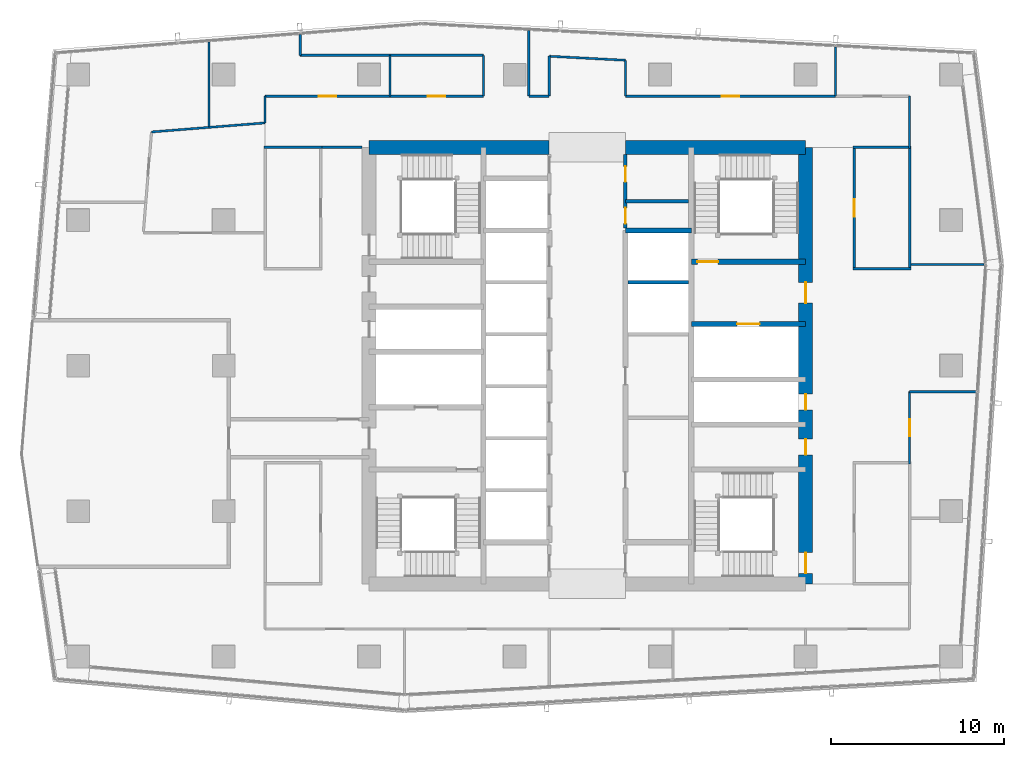
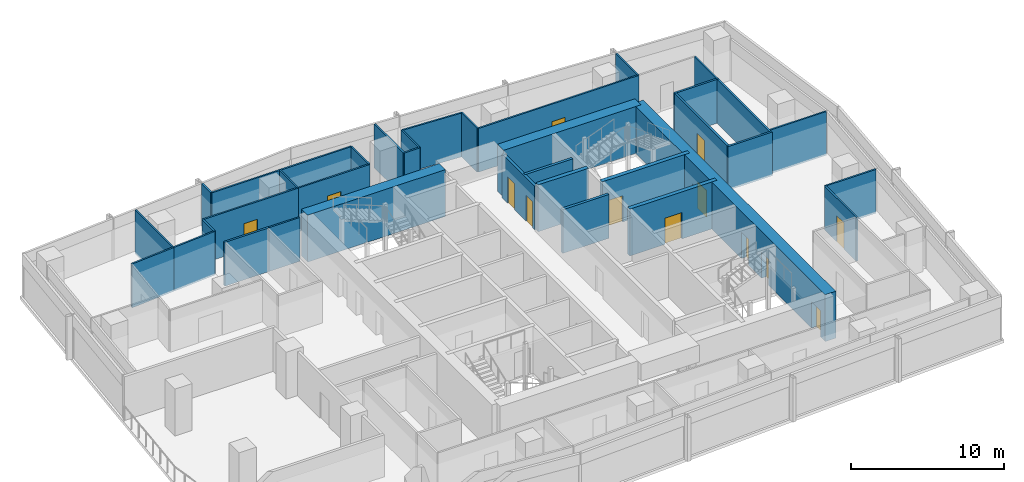
# One storey, part 22 of 28: 37 walls, 13 doors, 13 openings.
"""IFC4 building model written with IfcOpenShell, lengths in metres."""

from ifc_helpers import new_model, si_unit, direction, frame, frame_2d, origin, place, context, subcontext, project, spatial, rectangle, extrude, material, layer, layer_set, type_object, element, fill, save


model = new_model("IFC4")

# Units and contexts
model_context = context("Model", 3, precision=1e-05, world=origin(), true_north=direction((0.0, 1.0)))
body_context = subcontext(model_context, "Body", "Model", "MODEL_VIEW")
ifc_project = project(units=[si_unit("LENGTHUNIT", "METRE"), si_unit("AREAUNIT", "SQUARE_METRE"), si_unit("VOLUMEUNIT", "CUBIC_METRE"), si_unit("PLANEANGLEUNIT", "RADIAN"), si_unit("MASSUNIT", "GRAM", prefix="KILO")], contexts=[model_context])

# Site, building, storey
site_placement = place(None, origin())
site = spatial("IfcSite", under=ifc_project, at=site_placement, CompositionType="ELEMENT")
building_placement = place(site_placement, origin())
building = spatial("IfcBuilding", under=site, at=building_placement, Name="Rekha Terrace Tower", CompositionType="ELEMENT")
storey_placement = place(building_placement, frame((0.0, 0.0, 268.85009765625)))
storey = spatial("IfcBuildingStorey", under=building, at=storey_placement, Name="L68", CompositionType="ELEMENT", Elevation=268.85009765625)

# Wall
ifc_material_1 = material(Name="Concrete M60", Category="concrete")
ifc_layer_1 = layer(ifc_material_1, 0.300048828125)
ifc_layer_set_1 = layer_set([ifc_layer_1], Name="Concrete M60")
wall_type_1 = type_object("IfcWallType", Name="CI5 300 core internal shear wall", PredefinedType="SHEAR", material=ifc_layer_set_1)
wall_1_placement = place(storey_placement, frame((40.0, 41.39990234375, 0.0), z_axis=(0.0, 0.0, 1.0), x_axis=(1.0, 0.0, 0.0)))
element("IfcWall", 1, at=wall_1_placement, inside=storey, type_object=wall_type_1, Name="Core wall Y414E L68", PredefinedType="SHEAR", context=body_context, shape_type="SweptSolid", body=[
    extrude(rectangle(XDim=3.800048828125, YDim=0.300048828125, at=frame_2d((1.89990234375, 0.0))), origin(), (0.0, 0.0, 1.0), 3.75),
])

# Wall, opening, door
wall_2_placement = place(storey_placement, frame((43.800048828125, 36.0, 0.0), z_axis=(0.0, 0.0, 1.0), x_axis=(1.0, 0.0, 0.0)))
wall_2 = element("IfcWall", 2, at=wall_2_placement, inside=storey, type_object=wall_type_1, Name="Core wall Y360E L68", PredefinedType="SHEAR", context=body_context, shape_type="SweptSolid", body=[
    extrude(rectangle(XDim=6.599853515625, YDim=0.300048828125, at=frame_2d((3.2998046875, 0.0))), origin(), (0.0, 0.0, 1.0), 3.75),
])
opening_1_placement = place(wall_2_placement, frame((2.64990234375, 0.0, 0.0)))
opening_1 = element("IfcOpeningElement", 3, at=opening_1_placement, cuts=wall_2, Name="Opening LD2", PredefinedType="OPENING", context=body_context, shape_type="SweptSolid", body=[
    extrude(rectangle(XDim=1.300048828125, YDim=2.10009765625, at=frame_2d((0.64990234375, 1.050048828125))), frame((0.0, 0.159912109375, 0.0), z_axis=(0.0, -1.0, 0.0), x_axis=(1.0, 0.0, 0.0)), (0.0, 0.0, 1.0), 0.320068359375),
])
ifc_material_2 = material(Name="Stainless steel sliding landing door", Category="steel")
door_type_1 = type_object("IfcDoorType", Name="LD2 1300x2100 fire lift landing door", OperationType="SLIDING_TO_LEFT", PredefinedType="USERDEFINED", material=ifc_material_2)
door_1_placement = place(opening_1_placement, origin())
door_1 = element("IfcDoor", 4, at=door_1_placement, inside=storey, type_object=door_type_1, Name="Lift FL2 landing door L68", ObjectType="LIFT LANDING DOOR", OperationType="SLIDING_TO_LEFT", OverallHeight=2.10009765625, OverallWidth=1.300048828125, PredefinedType="USERDEFINED", context=body_context, shape_type="SweptSolid", body=[
    extrude(rectangle(XDim=1.300048828125, YDim=2.10009765625, at=frame_2d((0.64990234375, 1.050048828125))), frame((0.0, 0.02490234375, 0.0), z_axis=(0.0, -1.0, 0.0), x_axis=(1.0, 0.0, 0.0)), (0.0, 0.0, 1.0), 0.050048828125),
])
fill(opening_1, door_1)

wall_3_placement = place(storey_placement, frame((43.800048828125, 39.60009765625, 0.0), z_axis=(0.0, 0.0, 1.0), x_axis=(1.0, 0.0, 0.0)))
wall_3 = element("IfcWall", 5, at=wall_3_placement, inside=storey, type_object=wall_type_1, Name="Core wall Y396E L68", PredefinedType="SHEAR", context=body_context, shape_type="SweptSolid", body=[
    extrude(rectangle(XDim=6.599853515625, YDim=0.300048828125, at=frame_2d((3.2998046875, 0.0))), origin(), (0.0, 0.0, 1.0), 3.75),
])
opening_2_placement = place(wall_3_placement, frame((0.35009765625, 0.0, 0.0)))
opening_2 = element("IfcOpeningElement", 6, at=opening_2_placement, cuts=wall_3, Name="Opening D1", PredefinedType="OPENING", context=body_context, shape_type="SweptSolid", body=[
    extrude(rectangle(XDim=1.199951171875, YDim=2.10009765625, at=frame_2d((0.60009765625, 1.050048828125))), frame((0.0, 0.159912109375, 0.0), z_axis=(0.0, -1.0, 0.0), x_axis=(1.0, 0.0, 0.0)), (0.0, 0.0, 1.0), 0.320068359375),
])
ifc_material_3 = material(Name="Steel fire door", Category="steel")
door_type_2 = type_object("IfcDoorType", Name="D1 1200x2100 stair fire door", OperationType="SINGLE_SWING_RIGHT", PredefinedType="DOOR", material=ifc_material_3)
door_2_placement = place(opening_2_placement, origin())
door_2 = element("IfcDoor", 7, at=door_2_placement, inside=storey, type_object=door_type_2, Name="Stair ST2 door L68", OperationType="SINGLE_SWING_RIGHT", OverallHeight=2.10009765625, OverallWidth=1.199951171875, PredefinedType="DOOR", context=body_context, shape_type="SweptSolid", body=[
    extrude(rectangle(XDim=1.199951171875, YDim=2.10009765625, at=frame_2d((0.60009765625, 1.050048828125))), frame((0.0, 0.02490234375, 0.0), z_axis=(0.0, -1.0, 0.0), x_axis=(1.0, 0.0, 0.0)), (0.0, 0.0, 1.0), 0.050048828125),
])
fill(opening_2, door_2)

# Walls
ifc_layer_2 = layer(ifc_material_1, 0.800048828125)
ifc_layer_set_2 = layer_set([ifc_layer_2], Name="Concrete M60")
wall_type_2 = type_object("IfcWallType", Name="SW5 800 core outer shear wall", PredefinedType="SHEAR", material=ifc_layer_set_2)
wall_4_placement = place(storey_placement, frame((25.199951171875, 46.199951171875, 0.0), z_axis=(0.0, 0.0, 1.0), x_axis=(1.0, 0.0, 0.0)))
element("IfcWall", 8, at=wall_4_placement, inside=storey, type_object=wall_type_2, Name="Core wall N1 L68", PredefinedType="SHEAR", context=body_context, shape_type="SweptSolid", body=[
    extrude(rectangle(XDim=10.400146484375, YDim=0.800048828125, at=frame_2d((5.2001953125, 0.0))), origin(), (0.0, 0.0, 1.0), 3.75),
])
wall_5_placement = place(storey_placement, frame((40.0, 46.199951171875, 0.0), z_axis=(0.0, 0.0, 1.0), x_axis=(1.0, 0.0, 0.0)))
element("IfcWall", 9, at=wall_5_placement, inside=storey, type_object=wall_type_2, Name="Core wall N2 L68", PredefinedType="SHEAR", context=body_context, shape_type="SweptSolid", body=[
    extrude(rectangle(XDim=10.39990234375, YDim=0.800048828125, at=frame_2d((5.199951171875, 0.0))), origin(), (0.0, 0.0, 1.0), 3.75),
])

# Wall, openings, doors
wall_6_placement = place(storey_placement, frame((50.39990234375, 21.0, 0.0), z_axis=(0.0, 0.0, 1.0), x_axis=(0.0, 1.0, 0.0)))
wall_6 = element("IfcWall", 10, at=wall_6_placement, inside=storey, type_object=wall_type_2, Name="Core wall E L68", PredefinedType="SHEAR", context=body_context, shape_type="SweptSolid", body=[
    extrude(rectangle(XDim=25.199951171875, YDim=0.800048828125, at=frame_2d((12.60009765625, 0.0))), origin(), (0.0, 0.0, 1.0), 3.75),
])
opening_3_placement = place(wall_6_placement, frame((16.199951171875, 0.0, 0.0)))
opening_3 = element("IfcOpeningElement", 11, at=opening_3_placement, cuts=wall_6, Name="Opening D2", PredefinedType="OPENING", context=body_context, shape_type="SweptSolid", body=[
    extrude(rectangle(XDim=1.199951171875, YDim=2.10009765625, at=frame_2d((0.60009765625, 1.050048828125))), frame((0.0, 0.409912109375, 0.0), z_axis=(0.0, -1.0, 0.0), x_axis=(1.0, 0.0, 0.0)), (0.0, 0.0, 1.0), 0.820068359375),
])
opening_4_placement = place(wall_6_placement, frame((10.050048828125, 0.0, 0.0)))
opening_4 = element("IfcOpeningElement", 12, at=opening_4_placement, cuts=wall_6, Name="Opening D5", PredefinedType="OPENING", context=body_context, shape_type="SweptSolid", body=[
    extrude(rectangle(XDim=0.89990234375, YDim=2.10009765625, at=frame_2d((0.449951171875, 1.050048828125))), frame((0.0, 0.409912109375, 0.0), z_axis=(0.0, -1.0, 0.0), x_axis=(1.0, 0.0, 0.0)), (0.0, 0.0, 1.0), 0.820068359375),
])
opening_5_placement = place(wall_6_placement, frame((7.449951171875, 0.0, 0.0)))
opening_5 = element("IfcOpeningElement", 13, at=opening_5_placement, cuts=wall_6, Name="Opening D5", PredefinedType="OPENING", context=body_context, shape_type="SweptSolid", body=[
    extrude(rectangle(XDim=0.89990234375, YDim=2.10009765625, at=frame_2d((0.449951171875, 1.050048828125))), frame((0.0, 0.409912109375, 0.0), z_axis=(0.0, -1.0, 0.0), x_axis=(1.0, 0.0, 0.0)), (0.0, 0.0, 1.0), 0.820068359375),
])
opening_6_placement = place(wall_6_placement, frame((0.60009765625, 0.0, 0.0)))
opening_6 = element("IfcOpeningElement", 14, at=opening_6_placement, cuts=wall_6, Name="Opening D1", PredefinedType="OPENING", context=body_context, shape_type="SweptSolid", body=[
    extrude(rectangle(XDim=1.199951171875, YDim=2.10009765625, at=frame_2d((0.60009765625, 1.050048828125))), frame((0.0, 0.409912109375, 0.0), z_axis=(0.0, -1.0, 0.0), x_axis=(1.0, 0.0, 0.0)), (0.0, 0.0, 1.0), 0.820068359375),
])
door_3_placement = place(opening_6_placement, origin())
door_3 = element("IfcDoor", 15, at=door_3_placement, inside=storey, type_object=door_type_2, Name="Stair ST3 door L68", OperationType="SINGLE_SWING_RIGHT", OverallHeight=2.10009765625, OverallWidth=1.199951171875, PredefinedType="DOOR", context=body_context, shape_type="SweptSolid", body=[
    extrude(rectangle(XDim=1.199951171875, YDim=2.10009765625, at=frame_2d((0.60009765625, 1.050048828125))), frame((0.0, 0.02490234375, 0.0), z_axis=(0.0, -1.0, 0.0), x_axis=(1.0, 0.0, 0.0)), (0.0, 0.0, 1.0), 0.050048828125),
])
fill(opening_6, door_3)
door_type_3 = type_object("IfcDoorType", Name="D2 1200x2100 firefighting lobby door", OperationType="SINGLE_SWING_LEFT", PredefinedType="DOOR", material=ifc_material_3)
door_4_placement = place(opening_3_placement, origin())
door_4 = element("IfcDoor", 16, at=door_4_placement, inside=storey, type_object=door_type_3, Name="Door flb2 L68", OperationType="SINGLE_SWING_LEFT", OverallHeight=2.10009765625, OverallWidth=1.199951171875, PredefinedType="DOOR", context=body_context, shape_type="SweptSolid", body=[
    extrude(rectangle(XDim=1.199951171875, YDim=2.10009765625, at=frame_2d((0.60009765625, 1.050048828125))), frame((0.0, 0.02490234375, 0.0), z_axis=(0.0, -1.0, 0.0), x_axis=(1.0, 0.0, 0.0)), (0.0, 0.0, 1.0), 0.050048828125),
])
fill(opening_3, door_4)
door_type_4 = type_object("IfcDoorType", Name="D5 900x2100 riser access door", OperationType="SINGLE_SWING_LEFT", PredefinedType="DOOR", material=ifc_material_3)
door_5_placement = place(opening_4_placement, origin())
door_5 = element("IfcDoor", 17, at=door_5_placement, inside=storey, type_object=door_type_4, Name="Door rs2 L68", OperationType="SINGLE_SWING_LEFT", OverallHeight=2.10009765625, OverallWidth=0.89990234375, PredefinedType="DOOR", context=body_context, shape_type="SweptSolid", body=[
    extrude(rectangle(XDim=0.89990234375, YDim=2.10009765625, at=frame_2d((0.449951171875, 1.050048828125))), frame((0.0, 0.02490234375, 0.0), z_axis=(0.0, -1.0, 0.0), x_axis=(1.0, 0.0, 0.0)), (0.0, 0.0, 1.0), 0.050048828125),
])
fill(opening_4, door_5)
door_6_placement = place(opening_5_placement, origin())
door_6 = element("IfcDoor", 18, at=door_6_placement, inside=storey, type_object=door_type_4, Name="Door ele L68", OperationType="SINGLE_SWING_LEFT", OverallHeight=2.10009765625, OverallWidth=0.89990234375, PredefinedType="DOOR", context=body_context, shape_type="SweptSolid", body=[
    extrude(rectangle(XDim=0.89990234375, YDim=2.10009765625, at=frame_2d((0.449951171875, 1.050048828125))), frame((0.0, 0.02490234375, 0.0), z_axis=(0.0, -1.0, 0.0), x_axis=(1.0, 0.0, 0.0)), (0.0, 0.0, 1.0), 0.050048828125),
])
fill(opening_5, door_6)

# Walls
ifc_material_4 = material(Name="Concrete block masonry, 1 hour", Category="masonry")
ifc_layer_3 = layer(ifc_material_4, 0.14990234375)
ifc_layer_set_3 = layer_set([ifc_layer_3], Name="Concrete block masonry, 1 hour")
wall_type_3 = type_object("IfcWallType", Name="WP2 150 tenancy partition", PredefinedType="PARTITIONING", material=ifc_layer_set_3)
for number, where, z_axis, x_axis, name in (
    (19, (53.125, 39.199951171875, 0.0), (0.0, 0.0, 1.0), (1.0, 0.0, 0.0), "Women's WC wall L68"),
    (20, (53.125, 46.199951171875, 0.0), (0.0, 0.0, 1.0), (1.0, 0.0, 0.0), "Women's WC wall L68"),
):
    element("IfcWall", number, at=place(storey_placement, frame(where, z_axis=z_axis, x_axis=x_axis)), inside=storey, type_object=wall_type_3, Name=name, PredefinedType="PARTITIONING", context=body_context, shape_type="SweptSolid", body=[
        extrude(rectangle(XDim=3.35009765625, YDim=0.14990234375, at=frame_2d((1.675048828125, 0.0))), origin(), (0.0, 0.0, 1.0), 3.5),
    ])

# Wall, opening, door
wall_7_placement = place(storey_placement, frame((53.199951171875, 39.27490234375, 0.0), z_axis=(0.0, 0.0, 1.0), x_axis=(0.0, 1.0, 0.0)))
wall_7 = element("IfcWall", 21, at=wall_7_placement, inside=storey, type_object=wall_type_3, Name="Women's WC wall L68", PredefinedType="PARTITIONING", context=body_context, shape_type="SweptSolid", body=[
    extrude(rectangle(XDim=6.85009765625, YDim=0.14990234375, at=frame_2d((3.425048828125, 0.0))), origin(), (0.0, 0.0, 1.0), 3.5),
])
opening_7_placement = place(wall_7_placement, frame((2.925048828125, 0.0, 0.0)))
opening_7 = element("IfcOpeningElement", 22, at=opening_7_placement, cuts=wall_7, Name="Opening D3", PredefinedType="OPENING", context=body_context, shape_type="SweptSolid", body=[
    extrude(rectangle(XDim=1.0, YDim=2.10009765625, at=frame_2d((0.5, 1.050048828125))), frame((0.0, 0.0849609375, 0.0), z_axis=(0.0, -1.0, 0.0), x_axis=(1.0, 0.0, 0.0)), (0.0, 0.0, 1.0), 0.169921875),
])
ifc_material_5 = material(Name="Laminated timber fire door", Category="wood")
door_type_5 = type_object("IfcDoorType", Name="D3 1000x2100 WC door", OperationType="SINGLE_SWING_LEFT", PredefinedType="DOOR", material=ifc_material_5)
door_7_placement = place(opening_7_placement, origin())
door_7 = element("IfcDoor", 23, at=door_7_placement, inside=storey, type_object=door_type_5, Name="Door women's wc L68", OperationType="SINGLE_SWING_LEFT", OverallHeight=2.10009765625, OverallWidth=1.0, PredefinedType="DOOR", context=body_context, shape_type="SweptSolid", body=[
    extrude(rectangle(XDim=1.0, YDim=2.10009765625, at=frame_2d((0.5, 1.050048828125))), frame((0.0, 0.02490234375, 0.0), z_axis=(0.0, -1.0, 0.0), x_axis=(1.0, 0.0, 0.0)), (0.0, 0.0, 1.0), 0.050048828125),
])
fill(opening_7, door_7)

# Walls
wall_8_placement = place(storey_placement, frame((56.39990234375, 39.27490234375, 0.0), z_axis=(0.0, 0.0, 1.0), x_axis=(0.0, 1.0, 0.0)))
element("IfcWall", 24, at=wall_8_placement, inside=storey, type_object=wall_type_3, Name="Women's WC wall L68", PredefinedType="PARTITIONING", context=body_context, shape_type="SweptSolid", body=[
    extrude(rectangle(XDim=6.85009765625, YDim=0.14990234375, at=frame_2d((3.425048828125, 0.0))), origin(), (0.0, 0.0, 1.0), 3.5),
])
wall_9_placement = place(storey_placement, frame((19.125, 46.199951171875, 0.0), z_axis=(0.0, 0.0, 1.0), x_axis=(1.0, 0.0, 0.0)))
element("IfcWall", 25, at=wall_9_placement, inside=storey, type_object=wall_type_3, Name="Women's WC wall L68", PredefinedType="PARTITIONING", context=body_context, shape_type="SweptSolid", body=[
    extrude(rectangle(XDim=3.35009765625, YDim=0.14990234375, at=frame_2d((1.675048828125, 0.0))), origin(), (0.0, 0.0, 1.0), 3.5),
])

# Wall, opening, door
ifc_material_6 = material(Name="Two layers of fire-rated gypsum board each side on steel studs, acoustic quilt, 1 hour", Category="steel")
ifc_layer_4 = layer(ifc_material_6, 0.125)
ifc_layer_set_4 = layer_set([ifc_layer_4], Name="Two layers of fire-rated gypsum board each side on steel studs, acoustic quilt, 1 hour")
wall_type_4 = type_object("IfcWallType", Name="WP3 125 office partition", PredefinedType="PARTITIONING", material=ifc_layer_set_4)
wall_10_placement = place(storey_placement, frame((56.39990234375, 27.925048828125, 0.0), z_axis=(0.0, 0.0, 1.0), x_axis=(0.0, 1.0, 0.0)))
wall_10 = element("IfcWall", 26, at=wall_10_placement, inside=storey, type_object=wall_type_4, Name="Partition L68-05", PredefinedType="PARTITIONING", context=body_context, shape_type="SweptSolid", body=[
    extrude(rectangle(XDim=4.1708984375, YDim=0.125, at=frame_2d((2.08544921875, 0.0))), origin(), (0.0, 0.0, 1.0), 3.5),
])
opening_8_placement = place(wall_10_placement, frame((1.5849609375, 0.0, 0.0)))
opening_8 = element("IfcOpeningElement", 27, at=opening_8_placement, cuts=wall_10, Name="Opening D9", PredefinedType="OPENING", context=body_context, shape_type="SweptSolid", body=[
    extrude(rectangle(XDim=1.0, YDim=2.10009765625, at=frame_2d((0.5, 1.050048828125))), frame((0.0, 0.072509765625, 0.0), z_axis=(0.0, -1.0, 0.0), x_axis=(1.0, 0.0, 0.0)), (0.0, 0.0, 1.0), 0.14501953125),
])
ifc_material_7 = material(Name="Timber fire door", Category="wood")
door_type_6 = type_object("IfcDoorType", Name="D9 1000x2100 office door", OperationType="SINGLE_SWING_LEFT", PredefinedType="DOOR", material=ifc_material_7)
door_8_placement = place(opening_8_placement, origin())
door_8 = element("IfcDoor", 28, at=door_8_placement, inside=storey, type_object=door_type_6, Name="Door director's office L68", OperationType="SINGLE_SWING_LEFT", OverallHeight=2.10009765625, OverallWidth=1.0, PredefinedType="DOOR", context=body_context, shape_type="SweptSolid", body=[
    extrude(rectangle(XDim=1.0, YDim=2.10009765625, at=frame_2d((0.5, 1.050048828125))), frame((0.0, 0.02490234375, 0.0), z_axis=(0.0, -1.0, 0.0), x_axis=(1.0, 0.0, 0.0)), (0.0, 0.0, 1.0), 0.050048828125),
])
fill(opening_8, door_8)

# Walls
wall_11_placement = place(storey_placement, frame((56.39990234375, 32.095947265625, 0.0), z_axis=(0.0, 0.0, 1.0), x_axis=(1.0, 0.0, 0.0)))
element("IfcWall", 29, at=wall_11_placement, inside=storey, type_object=wall_type_4, Name="Partition L68-05", PredefinedType="PARTITIONING", context=body_context, shape_type="SweptSolid", body=[
    extrude(rectangle(XDim=3.820068359375, YDim=0.125, at=frame_2d((1.91015625, 0.0))), origin(), (0.0, 0.0, 1.0), 3.5),
])
wall_12_placement = place(storey_placement, frame((52.123046875, 49.14990234375, 0.0), z_axis=(0.0, 0.0, 1.0), x_axis=(0.0, 1.0, 0.0)))
element("IfcWall", 30, at=wall_12_placement, inside=storey, type_object=wall_type_4, Name="Partition L68-08", PredefinedType="PARTITIONING", context=body_context, shape_type="SweptSolid", body=[
    extrude(rectangle(XDim=2.85205078125, YDim=0.125, at=frame_2d((1.426025390625, 0.0))), origin(), (0.0, 0.0, 1.0), 3.5),
])
wall_13_placement = place(storey_placement, frame((60.699951171875, 39.43994140625, 0.0), z_axis=(0.0, 0.0, 1.0), x_axis=(-1.0, 0.0, 0.0)))
element("IfcWall", 31, at=wall_13_placement, inside=storey, type_object=wall_type_4, Name="Partition L68-08", PredefinedType="PARTITIONING", context=body_context, shape_type="SweptSolid", body=[
    extrude(rectangle(XDim=4.224853515625, YDim=0.125, at=frame_2d((2.1123046875, 0.0))), origin(), (0.0, 0.0, 1.0), 3.5),
])
wall_14_placement = place(storey_placement, frame((56.39990234375, 46.125, 0.0), z_axis=(0.0, 0.0, 1.0), x_axis=(0.0, 1.0, 0.0)))
element("IfcWall", 32, at=wall_14_placement, inside=storey, type_object=wall_type_4, Name="Partition L68-08", PredefinedType="PARTITIONING", context=body_context, shape_type="SweptSolid", body=[
    extrude(rectangle(XDim=3.02490234375, YDim=0.125, at=frame_2d((1.512451171875, 0.0))), origin(), (0.0, 0.0, 1.0), 3.5),
])
wall_15_placement = place(storey_placement, frame((35.60009765625, 51.4580078125, 0.0), z_axis=(0.0, 0.0, 1.0), x_axis=(0.0, -1.0, 0.0)))
element("IfcWall", 33, at=wall_15_placement, inside=storey, type_object=wall_type_4, Name="Partition L68-09", PredefinedType="PARTITIONING", context=body_context, shape_type="SweptSolid", body=[
    extrude(rectangle(XDim=2.30810546875, YDim=0.125, at=frame_2d((1.154052734375, 0.0))), origin(), (0.0, 0.0, 1.0), 3.5),
])
wall_16_placement = place(storey_placement, frame((35.60009765625, 49.14990234375, 0.0), z_axis=(0.0, 0.0, 1.0), x_axis=(-1.0, 0.0, 0.0)))
element("IfcWall", 34, at=wall_16_placement, inside=storey, type_object=wall_type_4, Name="Partition L68-09", PredefinedType="PARTITIONING", context=body_context, shape_type="SweptSolid", body=[
    extrude(rectangle(XDim=1.18212890625, YDim=0.125, at=frame_2d((0.591064453125, 0.0))), origin(), (0.0, 0.0, 1.0), 3.5),
])
wall_17_placement = place(storey_placement, frame((34.41796875, 49.14990234375, 0.0), z_axis=(0.0, 0.0, 1.0), x_axis=(0.0, 1.0, 0.0)))
element("IfcWall", 35, at=wall_17_placement, inside=storey, type_object=wall_type_4, Name="Partition L68-09", PredefinedType="PARTITIONING", context=body_context, shape_type="SweptSolid", body=[
    extrude(rectangle(XDim=3.793212890625, YDim=0.125, at=frame_2d((1.896484375, 0.0))), origin(), (0.0, 0.0, 1.0), 3.5),
])

# Wall, opening, door
wall_18_placement = place(storey_placement, frame((52.123046875, 49.14990234375, 0.0), z_axis=(0.0, 0.0, 1.0), x_axis=(-1.0, 0.0, 0.0)))
wall_18 = element("IfcWall", 36, at=wall_18_placement, inside=storey, type_object=wall_type_4, Name="Partition L68-09", PredefinedType="PARTITIONING", context=body_context, shape_type="SweptSolid", body=[
    extrude(rectangle(XDim=12.123046875, YDim=0.125, at=frame_2d((6.0615234375, 0.0))), origin(), (0.0, 0.0, 1.0), 3.5),
])
opening_9_placement = place(wall_18_placement, frame((5.56201171875, 0.0, 0.0)))
opening_9 = element("IfcOpeningElement", 37, at=opening_9_placement, cuts=wall_18, Name="Opening D9", PredefinedType="OPENING", context=body_context, shape_type="SweptSolid", body=[
    extrude(rectangle(XDim=1.0, YDim=2.10009765625, at=frame_2d((0.5, 1.050048828125))), frame((0.0, 0.072509765625, 0.0), z_axis=(0.0, -1.0, 0.0), x_axis=(1.0, 0.0, 0.0)), (0.0, 0.0, 1.0), 0.14501953125),
])
door_9_placement = place(opening_9_placement, origin())
door_9 = element("IfcDoor", 38, at=door_9_placement, inside=storey, type_object=door_type_6, Name="Door director's office L68", OperationType="SINGLE_SWING_LEFT", OverallHeight=2.10009765625, OverallWidth=1.0, PredefinedType="DOOR", context=body_context, shape_type="SweptSolid", body=[
    extrude(rectangle(XDim=1.0, YDim=2.10009765625, at=frame_2d((0.5, 1.050048828125))), frame((0.0, 0.02490234375, 0.0), z_axis=(0.0, -1.0, 0.0), x_axis=(1.0, 0.0, 0.0)), (0.0, 0.0, 1.0), 0.050048828125),
])
fill(opening_9, door_9)

# Walls
wall_19_placement = place(storey_placement, frame((40.0, 49.14990234375, 0.0), z_axis=(0.0, 0.0, 1.0), x_axis=(0.0, 1.0, 0.0)))
element("IfcWall", 39, at=wall_19_placement, inside=storey, type_object=wall_type_4, Name="Partition L68-09", PredefinedType="PARTITIONING", context=body_context, shape_type="SweptSolid", body=[
    extrude(rectangle(XDim=2.0751953125, YDim=0.125, at=frame_2d((1.03759765625, 0.0))), origin(), (0.0, 0.0, 1.0), 3.5),
])
wall_20_placement = place(storey_placement, frame((40.0, 51.22509765625, 0.0), z_axis=(0.0, 0.0, 1.0), x_axis=(-0.998601864588, 0.052861290579, 0.0)))
element("IfcWall", 40, at=wall_20_placement, inside=storey, type_object=wall_type_4, Name="Partition L68-09", PredefinedType="PARTITIONING", context=body_context, shape_type="SweptSolid", body=[
    extrude(rectangle(XDim=4.406005859375, YDim=0.125, at=frame_2d((2.203125, 0.0))), origin(), (0.0, 0.0, 1.0), 3.5),
])
wall_21_placement = place(storey_placement, frame((15.950927734375, 47.35107421875, 0.0), z_axis=(0.0, 0.0, 1.0), x_axis=(0.0, 1.0, 0.0)))
element("IfcWall", 41, at=wall_21_placement, inside=storey, type_object=wall_type_4, Name="Partition L68-10", PredefinedType="PARTITIONING", context=body_context, shape_type="SweptSolid", body=[
    extrude(rectangle(XDim=4.93603515625, YDim=0.125, at=frame_2d((2.468017578125, 0.0))), origin(), (0.0, 0.0, 1.0), 3.5),
])
wall_22_placement = place(storey_placement, frame((21.22607421875, 52.7080078125, 0.0), z_axis=(0.0, 0.0, 1.0), x_axis=(0.0, -1.0, 0.0)))
element("IfcWall", 42, at=wall_22_placement, inside=storey, type_object=wall_type_4, Name="Partition L68-10", PredefinedType="PARTITIONING", context=body_context, shape_type="SweptSolid", body=[
    extrude(rectangle(XDim=1.197021484375, YDim=0.125, at=frame_2d((0.5986328125, 0.0))), origin(), (0.0, 0.0, 1.0), 3.5),
])
wall_23_placement = place(storey_placement, frame((21.22607421875, 51.510986328125, 0.0), z_axis=(0.0, 0.0, 1.0), x_axis=(1.0, 0.0, 0.0)))
element("IfcWall", 43, at=wall_23_placement, inside=storey, type_object=wall_type_4, Name="Partition L68-10", PredefinedType="PARTITIONING", context=body_context, shape_type="SweptSolid", body=[
    extrude(rectangle(XDim=5.173828125, YDim=0.125, at=frame_2d((2.5869140625, 0.0))), origin(), (0.0, 0.0, 1.0), 3.5),
])
wall_24_placement = place(storey_placement, frame((26.39990234375, 51.510986328125, 0.0), z_axis=(0.0, 0.0, 1.0), x_axis=(0.0, -1.0, 0.0)))
element("IfcWall", 44, at=wall_24_placement, inside=storey, type_object=wall_type_4, Name="Partition L68-10", PredefinedType="PARTITIONING", context=body_context, shape_type="SweptSolid", body=[
    extrude(rectangle(XDim=2.361083984375, YDim=0.125, at=frame_2d((1.1806640625, 0.0))), origin(), (0.0, 0.0, 1.0), 3.5),
])

# Wall, opening, door
wall_25_placement = place(storey_placement, frame((26.39990234375, 49.14990234375, 0.0), z_axis=(0.0, 0.0, 1.0), x_axis=(-1.0, 0.0, 0.0)))
wall_25 = element("IfcWall", 45, at=wall_25_placement, inside=storey, type_object=wall_type_4, Name="Partition L68-10", PredefinedType="PARTITIONING", context=body_context, shape_type="SweptSolid", body=[
    extrude(rectangle(XDim=7.199951171875, YDim=0.125, at=frame_2d((3.60009765625, 0.0))), origin(), (0.0, 0.0, 1.0), 3.5),
])
opening_10_placement = place(wall_25_placement, frame((3.10009765625, 0.0, 0.0)))
opening_10 = element("IfcOpeningElement", 46, at=opening_10_placement, cuts=wall_25, Name="Opening D9", PredefinedType="OPENING", context=body_context, shape_type="SweptSolid", body=[
    extrude(rectangle(XDim=1.0, YDim=2.10009765625, at=frame_2d((0.5, 1.050048828125))), frame((0.0, 0.072509765625, 0.0), z_axis=(0.0, -1.0, 0.0), x_axis=(1.0, 0.0, 0.0)), (0.0, 0.0, 1.0), 0.14501953125),
])
door_10_placement = place(opening_10_placement, origin())
door_10 = element("IfcDoor", 47, at=door_10_placement, inside=storey, type_object=door_type_6, Name="Door director's office L68", OperationType="SINGLE_SWING_LEFT", OverallHeight=2.10009765625, OverallWidth=1.0, PredefinedType="DOOR", context=body_context, shape_type="SweptSolid", body=[
    extrude(rectangle(XDim=1.0, YDim=2.10009765625, at=frame_2d((0.5, 1.050048828125))), frame((0.0, 0.02490234375, 0.0), z_axis=(0.0, -1.0, 0.0), x_axis=(1.0, 0.0, 0.0)), (0.0, 0.0, 1.0), 0.050048828125),
])
fill(opening_10, door_10)

# Walls
wall_26_placement = place(storey_placement, frame((19.199951171875, 49.14990234375, 0.0), z_axis=(0.0, 0.0, 1.0), x_axis=(0.0, -1.0, 0.0)))
element("IfcWall", 48, at=wall_26_placement, inside=storey, type_object=wall_type_4, Name="Partition L68-10", PredefinedType="PARTITIONING", context=body_context, shape_type="SweptSolid", body=[
    extrude(rectangle(XDim=1.539794921875, YDim=0.125, at=frame_2d((0.77001953125, 0.0))), origin(), (0.0, 0.0, 1.0), 3.5),
])
wall_27_placement = place(storey_placement, frame((19.199951171875, 47.610107421875, 0.0), z_axis=(0.0, 0.0, 1.0), x_axis=(-0.99683691537, -0.079474298708, 0.0)))
element("IfcWall", 49, at=wall_27_placement, inside=storey, type_object=wall_type_4, Name="Partition L68-10", PredefinedType="PARTITIONING", context=body_context, shape_type="SweptSolid", body=[
    extrude(rectangle(XDim=3.25927734375, YDim=0.125, at=frame_2d((1.629638671875, 0.0))), origin(), (0.0, 0.0, 1.0), 3.5),
])
wall_28_placement = place(storey_placement, frame((15.949951171875, 47.35107421875, 0.0), z_axis=(0.0, 0.0, 1.0), x_axis=(-0.99682463174, -0.07962822086, 0.0)))
element("IfcWall", 50, at=wall_28_placement, inside=storey, type_object=wall_type_4, Name="Partition L68-11", PredefinedType="PARTITIONING", context=body_context, shape_type="SweptSolid", body=[
    extrude(rectangle(XDim=3.3173828125, YDim=0.125, at=frame_2d((1.65869140625, 0.0))), origin(), (0.0, 0.0, 1.0), 3.5),
])
wall_29_placement = place(storey_placement, frame((22.47607421875, 46.199951171875, 0.0), z_axis=(0.0, 0.0, 1.0), x_axis=(1.0, 0.0, 0.0)))
element("IfcWall", 51, at=wall_29_placement, inside=storey, type_object=wall_type_4, Name="Partition L68-12", PredefinedType="PARTITIONING", context=body_context, shape_type="SweptSolid", body=[
    extrude(rectangle(XDim=2.323974609375, YDim=0.125, at=frame_2d((1.162109375, 0.0))), origin(), (0.0, 0.0, 1.0), 3.5),
])
wall_30_placement = place(storey_placement, frame((26.39990234375, 51.510986328125, 0.0), z_axis=(0.0, 0.0, 1.0), x_axis=(1.0, 0.0, 0.0)))
element("IfcWall", 52, at=wall_30_placement, inside=storey, type_object=wall_type_4, Name="Partition L68-13", PredefinedType="PARTITIONING", context=body_context, shape_type="SweptSolid", body=[
    extrude(rectangle(XDim=5.400146484375, YDim=0.125, at=frame_2d((2.7001953125, 0.0))), origin(), (0.0, 0.0, 1.0), 3.5),
])
wall_31_placement = place(storey_placement, frame((31.800048828125, 51.510986328125, 0.0), z_axis=(0.0, 0.0, 1.0), x_axis=(0.0, -1.0, 0.0)))
element("IfcWall", 53, at=wall_31_placement, inside=storey, type_object=wall_type_4, Name="Partition L68-13", PredefinedType="PARTITIONING", context=body_context, shape_type="SweptSolid", body=[
    extrude(rectangle(XDim=2.361083984375, YDim=0.125, at=frame_2d((1.1806640625, 0.0))), origin(), (0.0, 0.0, 1.0), 3.5),
])

# Wall, opening, door
wall_32_placement = place(storey_placement, frame((31.800048828125, 49.14990234375, 0.0), z_axis=(0.0, 0.0, 1.0), x_axis=(-1.0, 0.0, 0.0)))
wall_32 = element("IfcWall", 54, at=wall_32_placement, inside=storey, type_object=wall_type_4, Name="Partition L68-13", PredefinedType="PARTITIONING", context=body_context, shape_type="SweptSolid", body=[
    extrude(rectangle(XDim=5.400146484375, YDim=0.125, at=frame_2d((2.7001953125, 0.0))), origin(), (0.0, 0.0, 1.0), 3.5),
])
opening_11_placement = place(wall_32_placement, frame((2.199951171875, 0.0, 0.0)))
opening_11 = element("IfcOpeningElement", 55, at=opening_11_placement, cuts=wall_32, Name="Opening D9", PredefinedType="OPENING", context=body_context, shape_type="SweptSolid", body=[
    extrude(rectangle(XDim=1.0, YDim=2.10009765625, at=frame_2d((0.5, 1.050048828125))), frame((0.0, 0.072509765625, 0.0), z_axis=(0.0, -1.0, 0.0), x_axis=(1.0, 0.0, 0.0)), (0.0, 0.0, 1.0), 0.14501953125),
])
door_11_placement = place(opening_11_placement, origin())
door_11 = element("IfcDoor", 56, at=door_11_placement, inside=storey, type_object=door_type_6, Name="Door prayer room L68", OperationType="SINGLE_SWING_LEFT", OverallHeight=2.10009765625, OverallWidth=1.0, PredefinedType="DOOR", context=body_context, shape_type="SweptSolid", body=[
    extrude(rectangle(XDim=1.0, YDim=2.10009765625, at=frame_2d((0.5, 1.050048828125))), frame((0.0, 0.02490234375, 0.0), z_axis=(0.0, -1.0, 0.0), x_axis=(1.0, 0.0, 0.0)), (0.0, 0.0, 1.0), 0.050048828125),
])
fill(opening_11, door_11)

# Wall
ifc_material_8 = material(Name="Solid concrete block masonry, 2 hour", Category="masonry")
ifc_layer_5 = layer(ifc_material_8, 0.199951171875)
ifc_layer_set_5 = layer_set([ifc_layer_5], Name="Solid concrete block masonry, 2 hour")
wall_type_5 = type_object("IfcWallType", Name="WS1 200 stair and shaft enclosure", PredefinedType="PARTITIONING", material=ifc_layer_set_5)
wall_33_placement = place(storey_placement, frame((40.14990234375, 38.39990234375, 0.0), z_axis=(0.0, 0.0, 1.0), x_axis=(1.0, 0.0, 0.0)))
element("IfcWall", 57, at=wall_33_placement, inside=storey, type_object=wall_type_5, Name="Lift shaft divider L68", PredefinedType="PARTITIONING", context=body_context, shape_type="SweptSolid", body=[
    extrude(rectangle(XDim=3.5, YDim=0.199951171875, at=frame_2d((1.75, 0.0))), origin(), (0.0, 0.0, 1.0), 3.5),
])

# Wall, openings, doors
wall_34_placement = place(storey_placement, frame((40.0, 41.550048828125, 0.0), z_axis=(0.0, 0.0, 1.0), x_axis=(0.0, 1.0, 0.0)))
wall_34 = element("IfcWall", 58, at=wall_34_placement, inside=storey, type_object=wall_type_5, Name="Core partition elec L68", PredefinedType="PARTITIONING", context=body_context, shape_type="SweptSolid", body=[
    extrude(rectangle(XDim=4.25, YDim=0.199951171875, at=frame_2d((2.125, 0.0))), origin(), (0.0, 0.0, 1.0), 3.5),
])
opening_12_placement = place(wall_34_placement, frame((2.64990234375, 0.0, 0.0)))
opening_12 = element("IfcOpeningElement", 59, at=opening_12_placement, cuts=wall_34, Name="Opening D5", PredefinedType="OPENING", context=body_context, shape_type="SweptSolid", body=[
    extrude(rectangle(XDim=0.89990234375, YDim=2.10009765625, at=frame_2d((0.449951171875, 1.050048828125))), frame((0.0, 0.10986328125, 0.0), z_axis=(0.0, -1.0, 0.0), x_axis=(1.0, 0.0, 0.0)), (0.0, 0.0, 1.0), 0.219970703125),
])
opening_13_placement = place(wall_34_placement, frame((0.25, 0.0, 0.0)))
opening_13 = element("IfcOpeningElement", 60, at=opening_13_placement, cuts=wall_34, Name="Opening D5", PredefinedType="OPENING", context=body_context, shape_type="SweptSolid", body=[
    extrude(rectangle(XDim=0.89990234375, YDim=2.10009765625, at=frame_2d((0.449951171875, 1.050048828125))), frame((0.0, 0.10986328125, 0.0), z_axis=(0.0, -1.0, 0.0), x_axis=(1.0, 0.0, 0.0)), (0.0, 0.0, 1.0), 0.219970703125),
])
door_12_placement = place(opening_12_placement, origin())
door_12 = element("IfcDoor", 61, at=door_12_placement, inside=storey, type_object=door_type_4, Name="Door electrical room L68", OperationType="SINGLE_SWING_LEFT", OverallHeight=2.10009765625, OverallWidth=0.89990234375, PredefinedType="DOOR", context=body_context, shape_type="SweptSolid", body=[
    extrude(rectangle(XDim=0.89990234375, YDim=2.10009765625, at=frame_2d((0.449951171875, 1.050048828125))), frame((0.0, 0.02490234375, 0.0), z_axis=(0.0, -1.0, 0.0), x_axis=(1.0, 0.0, 0.0)), (0.0, 0.0, 1.0), 0.050048828125),
])
fill(opening_12, door_12)
door_13_placement = place(opening_13_placement, origin())
door_13 = element("IfcDoor", 62, at=door_13_placement, inside=storey, type_object=door_type_4, Name="Door mother's room L68", OperationType="SINGLE_SWING_LEFT", OverallHeight=2.10009765625, OverallWidth=0.89990234375, PredefinedType="DOOR", context=body_context, shape_type="SweptSolid", body=[
    extrude(rectangle(XDim=0.89990234375, YDim=2.10009765625, at=frame_2d((0.449951171875, 1.050048828125))), frame((0.0, 0.02490234375, 0.0), z_axis=(0.0, -1.0, 0.0), x_axis=(1.0, 0.0, 0.0)), (0.0, 0.0, 1.0), 0.050048828125),
])
fill(opening_13, door_13)

# Wall
wall_35_placement = place(storey_placement, frame((40.0, 43.10009765625, 0.0), z_axis=(0.0, 0.0, 1.0), x_axis=(1.0, 0.0, 0.0)))
element("IfcWall", 63, at=wall_35_placement, inside=storey, type_object=wall_type_5, Name="Core partition elx L68", PredefinedType="PARTITIONING", context=body_context, shape_type="SweptSolid", body=[
    extrude(rectangle(XDim=3.64990234375, YDim=0.199951171875, at=frame_2d((1.824951171875, 0.0))), origin(), (0.0, 0.0, 1.0), 3.5),
])

save(model, "model.ifc")
